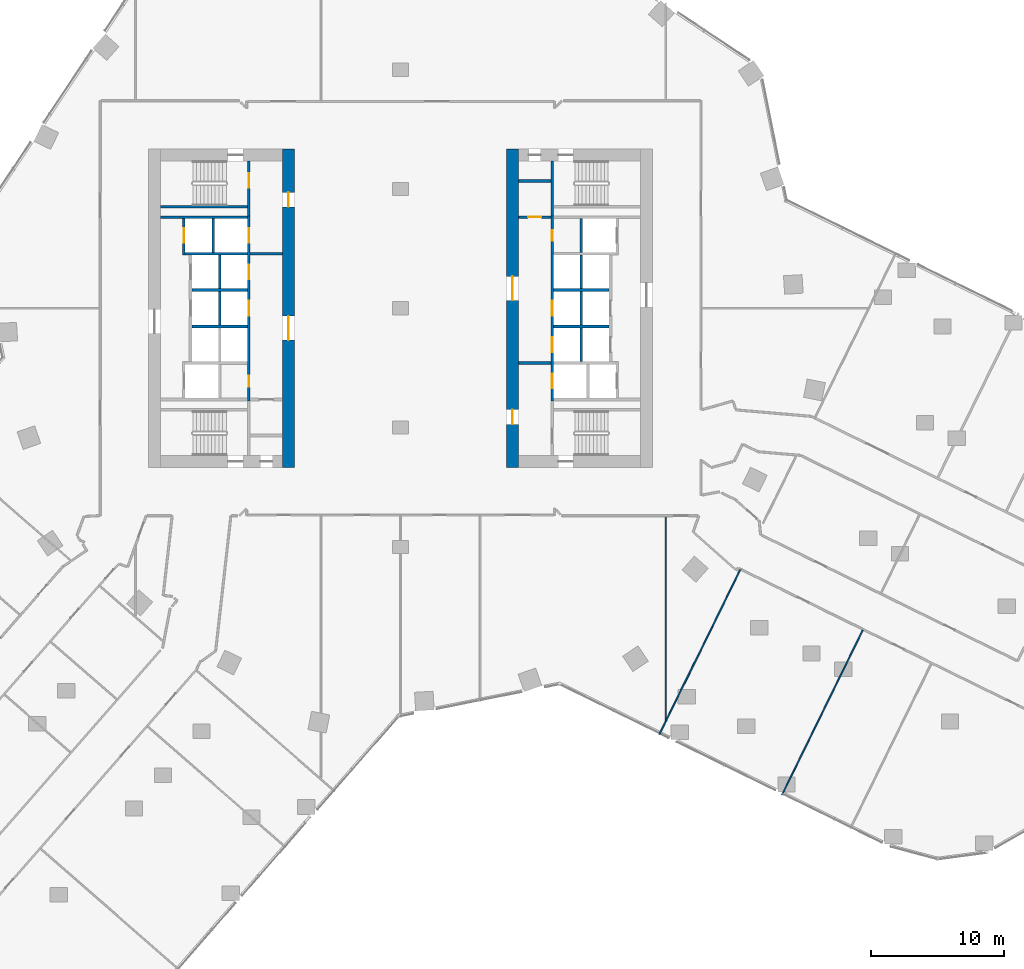
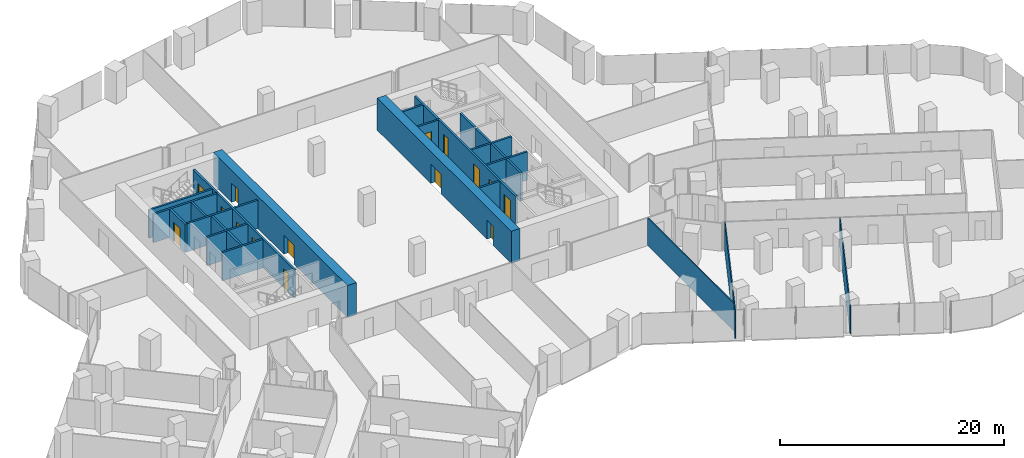
# One storey, part 28 of 38: 29 walls, 15 doors, 15 openings.
"""IFC4 building model written with IfcOpenShell, lengths in metres."""

import ifcopenshell
import ifcopenshell.guid

model = None  # the IFC model being written
_history = None  # IfcOwnerHistory: only IFC2X3 demands one
_inside = {}  # id of a spatial element -> (the spatial element, [elements in it])
_under = {}  # id of a project, library or spatial element -> (it, [spatial elements below it])
_declared = {}  # id of a project -> (the project, [libraries it declares])
_typed = {}  # id of a type object -> (the type object, [elements of that type])
_made_of = {}  # id of a material, layer set ... -> (it, [elements and type objects made of it])


def new_model(schema):
    """Start an empty IFC model of exactly this schema.

    Asked for "IFC4X3", IfcOpenShell would pick the latest addendum, in which some entities
    have other attributes; the version numbers below select the first issue.
    IFC2X3 requires an IfcOwnerHistory on every rooted entity: one is made here for all.
    """
    global model, _history
    if schema == "IFC4X3":
        model = ifcopenshell.file(schema_version=(4, 3, 0, 0))
    else:
        model = ifcopenshell.file(schema=schema)
    _inside.clear()
    _under.clear()
    _declared.clear()
    _typed.clear()
    _made_of.clear()
    _history = None
    if model.schema == "IFC2X3":
        org = make("IfcOrganization", Name="unknown")
        user = make(
            "IfcPersonAndOrganization",
            ThePerson=make("IfcPerson", FamilyName="unknown"),
            TheOrganization=org,
        )
        app = make(
            "IfcApplication",
            ApplicationDeveloper=org,
            Version="unknown",
            ApplicationFullName="unknown",
            ApplicationIdentifier="unknown",
        )
        _history = make(
            "IfcOwnerHistory",
            OwningUser=user,
            OwningApplication=app,
            ChangeAction="ADDED",
            CreationDate=0,
        )
    return model


def make(cls, **values):
    """One entity of the class cls with the attributes given. An attribute that is None is left unset."""
    return model.create_entity(
        cls, **{name: value for name, value in values.items() if value is not None}
    )


def rooted(cls, **values):
    """An entity with a GlobalId (a new one), such as an element, a storey or a relation."""
    return make(cls, GlobalId=ifcopenshell.guid.new(), OwnerHistory=_history, **values)


def si_unit(unit_type, name, prefix=None):
    """IfcSIUnit, for example si_unit("LENGTHUNIT", "METRE", prefix="MILLI")."""
    return make("IfcSIUnit", UnitType=unit_type, Prefix=prefix, Name=name)


def assignment(units):
    """IfcUnitAssignment: the units of a project."""
    return None if units is None else make("IfcUnitAssignment", Units=units)


def point(xyz):
    """IfcCartesianPoint."""
    return None if xyz is None else make("IfcCartesianPoint", Coordinates=xyz)


def direction(xyz):
    """IfcDirection."""
    return None if xyz is None else make("IfcDirection", DirectionRatios=xyz)


def frame(location, z_axis=None, x_axis=None):
    """IfcAxis2Placement3D, a coordinate frame: its origin and axes. An axis left out is left unset."""
    return make(
        "IfcAxis2Placement3D",
        Location=point(location),
        Axis=direction(z_axis),
        RefDirection=direction(x_axis),
    )


def frame_2d(location, x_axis=None):
    """IfcAxis2Placement2D, a coordinate frame in the plane: its origin and x axis."""
    return make(
        "IfcAxis2Placement2D", Location=point(location), RefDirection=direction(x_axis)
    )


def origin():
    """The frame at (0, 0, 0) with its axes left unset."""
    return frame((0.0, 0.0, 0.0))


def place(relative_to, where):
    """IfcLocalPlacement: puts the frame where relative to a parent placement (None: the world)."""
    return make(
        "IfcLocalPlacement", PlacementRelTo=relative_to, RelativePlacement=where
    )


def context(
    kind, dimensions, precision=None, world=None, true_north=None, identifier=None
):
    """IfcGeometricRepresentationContext, for example the 3D "Model" context."""
    return make(
        "IfcGeometricRepresentationContext",
        ContextIdentifier=identifier,
        ContextType=kind,
        CoordinateSpaceDimension=dimensions,
        Precision=precision,
        WorldCoordinateSystem=world,
        TrueNorth=true_north,
    )


def subcontext(parent, identifier, kind, view, scale=None):
    """IfcGeometricRepresentationSubContext, for example "Body" below "Model"."""
    return make(
        "IfcGeometricRepresentationSubContext",
        ContextIdentifier=identifier,
        ContextType=kind,
        ParentContext=parent,
        TargetScale=scale,
        TargetView=view,
    )


def project(units=None, contexts=None):
    """IfcProject with its units and contexts."""
    return rooted(
        "IfcProject",
        Name="project",
        RepresentationContexts=contexts,
        UnitsInContext=assignment(units),
    )


def spatial(cls, under=None, at=None, **own):
    """A site, building, storey or space (cls), placed at a placement, below another one or the project."""
    s = rooted(cls, ObjectPlacement=at, **own)
    if under is not None:
        _under.setdefault(under.id(), (under, []))[1].append(s)
    return s


def profile(cls, at=None, kind="AREA", **sizes):
    """A parametric profile (cls). Its sizes go by their IFC names, for example OverallWidth=200.0."""
    return make(cls, ProfileType=kind, Position=at, **sizes)


def rectangle(**sizes):
    """IfcRectangleProfileDef."""
    return profile("IfcRectangleProfileDef", **sizes)


def extrude(swept, where, along, depth):
    """IfcExtrudedAreaSolid: the profile swept, set in the frame where, extruded along a direction by depth."""
    return make(
        "IfcExtrudedAreaSolid",
        SweptArea=swept,
        Position=where,
        ExtrudedDirection=direction(along),
        Depth=depth,
    )


def shape(context_of_items, identifier, shape_type, items):
    """IfcShapeRepresentation: the items that make up one representation, for example the "Body"."""
    return make(
        "IfcShapeRepresentation",
        ContextOfItems=context_of_items,
        RepresentationIdentifier=identifier,
        RepresentationType=shape_type,
        Items=items,
    )


def material(Name=None, Category=None):
    """IfcMaterial."""
    return make("IfcMaterial", Name=Name, Category=Category)


def layer(
    of_material, thickness, ventilated=None, Name=None, Category=None, Priority=None
):
    """IfcMaterialLayer: one layer of a wall or slab, of a material (None: an air gap)."""
    return make(
        "IfcMaterialLayer",
        Material=of_material,
        LayerThickness=thickness,
        IsVentilated=ventilated,
        Name=Name,
        Category=Category,
        Priority=Priority,
    )


def layer_set(layers, Name=None):
    """IfcMaterialLayerSet."""
    return make("IfcMaterialLayerSet", MaterialLayers=layers, LayerSetName=Name)


def made_of(thing, what):
    """Note that an element or type object is made of a material, layer set ...; save() writes the relation."""
    if what is not None:
        _made_of.setdefault(what.id(), (what, []))[1].append(thing)
    return thing


def type_object(cls, material=None, **own):
    """A type object (cls), such as IfcWallType, which elements share."""
    return made_of(rooted(cls, **own), material)


def element(
    cls,
    number,
    at=None,
    inside=None,
    cuts=None,
    type_object=None,
    material=None,
    context=None,
    identifier="Body",
    shape_type=None,
    held_by="IfcProductDefinitionShape",
    body=None,
    shapes=None,
    **own,
):
    """One element of the class cls, such as IfcWall. Its Tag is "e" and its number.

    at: its placement. inside: the storey or other place that contains it. cuts: it is an
    opening in that element (IfcRelVoidsElement). A single representation is given by context,
    identifier, shape_type and body (its items); several are given by shapes. held_by: the class
    of the entity that holds the representations. save() writes the other relations.
    """
    e = rooted(cls, Tag="e%d" % number, ObjectPlacement=at, **own)
    if body is not None:
        shapes = [shape(context, identifier, shape_type, body)]
    if shapes is not None:
        e.Representation = make(held_by, Representations=shapes)
    if inside is not None:
        _inside.setdefault(inside.id(), (inside, []))[1].append(e)
    if cuts is not None:
        rooted(
            "IfcRelVoidsElement", RelatingBuildingElement=cuts, RelatedOpeningElement=e
        )
    if type_object is not None:
        _typed.setdefault(type_object.id(), (type_object, []))[1].append(e)
    return made_of(e, material)


def fill(opening, filler):
    """IfcRelFillsElement: the door or window that sits in an opening."""
    return rooted(
        "IfcRelFillsElement",
        RelatingOpeningElement=opening,
        RelatedBuildingElement=filler,
    )


def aggregate(whole, parts):
    """IfcRelAggregates: a whole, such as a stair, and the parts it consists of."""
    return rooted("IfcRelAggregates", RelatingObject=whole, RelatedObjects=parts)


def save(model, path):
    """Write the relations noted so far, then the file.

    IfcRelAggregates (storeys below a building ...), IfcRelContainedInSpatialStructure (elements
    in a storey), IfcRelDefinesByType, IfcRelAssociatesMaterial and IfcRelDeclares: one each for
    every whole, place, type object, material and project.
    """
    for whole, parts in _under.values():
        aggregate(whole, parts)
    for where, things in _inside.values():
        rooted(
            "IfcRelContainedInSpatialStructure",
            RelatedElements=things,
            RelatingStructure=where,
        )
    for kind, things in _typed.values():
        rooted("IfcRelDefinesByType", RelatedObjects=things, RelatingType=kind)
    for what, things in _made_of.values():
        rooted("IfcRelAssociatesMaterial", RelatedObjects=things, RelatingMaterial=what)
    for by, libraries in _declared.values():
        rooted("IfcRelDeclares", RelatingContext=by, RelatedDefinitions=libraries)
    model.write(path)


model = new_model("IFC4")

# Units and contexts
model_context = context("Model", 3, precision=1e-05, world=origin(), true_north=direction((0.0, 1.0)))
body_context = subcontext(model_context, "Body", "Model", "MODEL_VIEW")
ifc_project = project(units=[si_unit("LENGTHUNIT", "METRE"), si_unit("AREAUNIT", "SQUARE_METRE"), si_unit("VOLUMEUNIT", "CUBIC_METRE"), si_unit("PLANEANGLEUNIT", "RADIAN"), si_unit("MASSUNIT", "GRAM", prefix="KILO")], contexts=[model_context])

# Site, building, storey
site_placement = place(None, origin())
site = spatial("IfcSite", under=ifc_project, at=site_placement, CompositionType="ELEMENT")
building_placement = place(site_placement, origin())
building = spatial("IfcBuilding", under=site, at=building_placement, Name="Orlundy Tower", CompositionType="ELEMENT")
storey_placement = place(building_placement, frame((0.0, 0.0, 69.300048828125)))
storey = spatial("IfcBuildingStorey", under=building, at=storey_placement, Name="L16", CompositionType="ELEMENT", Elevation=69.300048828125)

# Wall, openings, doors
ifc_material_1 = material(Name="Concrete C80/95", Category="concrete")
ifc_layer_1 = layer(ifc_material_1, 0.89990234375)
ifc_layer_set_1 = layer_set([ifc_layer_1], Name="CORE WALL 900 C80/95")
wall_type_1 = type_object("IfcWallType", Name="CORE WALL 900 C80/95", PredefinedType="SHEAR", material=ifc_layer_set_1)
wall_1_placement = place(storey_placement, frame((-8.449951171875, -12.0, 0.0), z_axis=(0.0, 0.0, 1.0), x_axis=(0.0, 1.0, 0.0)))
wall_1 = element("IfcWall", 1, at=wall_1_placement, inside=storey, type_object=wall_type_1, Name="Core wall W-E L16", PredefinedType="SHEAR", context=body_context, shape_type="SweptSolid", body=[
    extrude(rectangle(XDim=24.0, YDim=0.89990234375, at=frame_2d((12.0, 0.0))), origin(), (0.0, 0.0, 1.0), 3.5),
])
opening_1_placement = place(wall_1_placement, frame((9.60009765625, 0.0, 0.0)))
opening_1 = element("IfcOpeningElement", 2, at=opening_1_placement, cuts=wall_1, Name="Opening 14009", PredefinedType="OPENING", context=body_context, shape_type="SweptSolid", body=[
    extrude(rectangle(XDim=1.800048828125, YDim=2.10009765625, at=frame_2d((0.89990234375, 1.050048828125))), frame((0.0, 0.4599609375, 0.0), z_axis=(0.0, -1.0, 0.0), x_axis=(1.0, 0.0, 0.0)), (0.0, 0.0, 1.0), 0.919921875),
])
opening_2_placement = place(wall_1_placement, frame((19.64990234375, 0.0, 0.0)))
opening_2 = element("IfcOpeningElement", 3, at=opening_2_placement, cuts=wall_1, Name="Opening 14011", PredefinedType="OPENING", context=body_context, shape_type="SweptSolid", body=[
    extrude(rectangle(XDim=1.10009765625, YDim=2.10009765625, at=frame_2d((0.550048828125, 1.050048828125))), frame((0.0, 0.4599609375, 0.0), z_axis=(0.0, -1.0, 0.0), x_axis=(1.0, 0.0, 0.0)), (0.0, 0.0, 1.0), 0.919921875),
])
ifc_material_2 = material(Name="Steel door set", Category="steel")
door_type_1 = type_object("IfcDoorType", Name="Fire-fighting Lobby Door 1100x2100", OperationType="SINGLE_SWING_LEFT", PredefinedType="DOOR", material=ifc_material_2)
door_1_placement = place(opening_2_placement, origin())
door_1 = element("IfcDoor", 4, at=door_1_placement, inside=storey, type_object=door_type_1, Name="Fire-fighting lobby door 14011", OperationType="SINGLE_SWING_RIGHT", OverallHeight=2.10009765625, OverallWidth=1.10009765625, PredefinedType="DOOR", context=body_context, shape_type="SweptSolid", body=[
    extrude(rectangle(XDim=1.10009765625, YDim=2.10009765625, at=frame_2d((0.550048828125, 1.050048828125))), frame((0.0, 0.02490234375, 0.0), z_axis=(0.0, -1.0, 0.0), x_axis=(1.0, 0.0, 0.0)), (0.0, 0.0, 1.0), 0.050048828125),
])
fill(opening_2, door_1)
ifc_material_3 = material(Name="Timber door set", Category="wood")
door_type_2 = type_object("IfcDoorType", Name="Lobby Door 1800x2100", OperationType="DOUBLE_DOOR_DOUBLE_SWING", PredefinedType="DOOR", material=ifc_material_3)
door_2_placement = place(opening_1_placement, origin())
door_2 = element("IfcDoor", 5, at=door_2_placement, inside=storey, type_object=door_type_2, Name="Lift lobby door 14009", OperationType="SINGLE_SWING_LEFT", OverallHeight=2.10009765625, OverallWidth=1.800048828125, PredefinedType="DOOR", context=body_context, shape_type="SweptSolid", body=[
    extrude(rectangle(XDim=1.800048828125, YDim=2.10009765625, at=frame_2d((0.89990234375, 1.050048828125))), frame((0.0, 0.02490234375, 0.0), z_axis=(0.0, -1.0, 0.0), x_axis=(1.0, 0.0, 0.0)), (0.0, 0.0, 1.0), 0.050048828125),
])
fill(opening_1, door_2)

wall_2_placement = place(storey_placement, frame((8.449951171875, -12.0, 0.0), z_axis=(0.0, 0.0, 1.0), x_axis=(0.0, 1.0, 0.0)))
wall_2 = element("IfcWall", 6, at=wall_2_placement, inside=storey, type_object=wall_type_1, Name="Core wall E-W L16", PredefinedType="SHEAR", context=body_context, shape_type="SweptSolid", body=[
    extrude(rectangle(XDim=24.0, YDim=0.89990234375, at=frame_2d((12.0, 0.0))), origin(), (0.0, 0.0, 1.0), 3.5),
])
opening_3_placement = place(wall_2_placement, frame((12.60009765625, 0.0, 0.0)))
opening_3 = element("IfcOpeningElement", 7, at=opening_3_placement, cuts=wall_2, Name="Opening 14058", PredefinedType="OPENING", context=body_context, shape_type="SweptSolid", body=[
    extrude(rectangle(XDim=1.800048828125, YDim=2.10009765625, at=frame_2d((0.89990234375, 1.050048828125))), frame((0.0, 0.4599609375, 0.0), z_axis=(0.0, -1.0, 0.0), x_axis=(1.0, 0.0, 0.0)), (0.0, 0.0, 1.0), 0.919921875),
])
opening_4_placement = place(wall_2_placement, frame((3.25, 0.0, 0.0)))
opening_4 = element("IfcOpeningElement", 8, at=opening_4_placement, cuts=wall_2, Name="Opening 14060", PredefinedType="OPENING", context=body_context, shape_type="SweptSolid", body=[
    extrude(rectangle(XDim=1.10009765625, YDim=2.10009765625, at=frame_2d((0.550048828125, 1.050048828125))), frame((0.0, 0.4599609375, 0.0), z_axis=(0.0, -1.0, 0.0), x_axis=(1.0, 0.0, 0.0)), (0.0, 0.0, 1.0), 0.919921875),
])
door_3_placement = place(opening_4_placement, origin())
door_3 = element("IfcDoor", 9, at=door_3_placement, inside=storey, type_object=door_type_1, Name="Fire-fighting lobby door 14060", OperationType="SINGLE_SWING_LEFT", OverallHeight=2.10009765625, OverallWidth=1.10009765625, PredefinedType="DOOR", context=body_context, shape_type="SweptSolid", body=[
    extrude(rectangle(XDim=1.10009765625, YDim=2.10009765625, at=frame_2d((0.550048828125, 1.050048828125))), frame((0.0, 0.02490234375, 0.0), z_axis=(0.0, -1.0, 0.0), x_axis=(1.0, 0.0, 0.0)), (0.0, 0.0, 1.0), 0.050048828125),
])
fill(opening_4, door_3)
door_4_placement = place(opening_3_placement, origin())
door_4 = element("IfcDoor", 10, at=door_4_placement, inside=storey, type_object=door_type_2, Name="Lift lobby door 14058", OperationType="SINGLE_SWING_RIGHT", OverallHeight=2.10009765625, OverallWidth=1.800048828125, PredefinedType="DOOR", context=body_context, shape_type="SweptSolid", body=[
    extrude(rectangle(XDim=1.800048828125, YDim=2.10009765625, at=frame_2d((0.89990234375, 1.050048828125))), frame((0.0, 0.02490234375, 0.0), z_axis=(0.0, -1.0, 0.0), x_axis=(1.0, 0.0, 0.0)), (0.0, 0.0, 1.0), 0.050048828125),
])
fill(opening_3, door_4)

# Walls
ifc_material_4 = material(Name="Gypsum board partition")
ifc_layer_2 = layer(ifc_material_4, 0.10009765625)
ifc_layer_set_2 = layer_set([ifc_layer_2], Name="Floor partition 100")
wall_type_2 = type_object("IfcWallType", Name="Floor partition 100", PredefinedType="PARTITIONING", material=ifc_layer_set_2)
wall_3_placement = place(storey_placement, frame((28.76611328125, -36.695068359375, 0.0), z_axis=(0.0, 0.0, 1.0), x_axis=(0.440949019424, 0.897532151106, 0.0)))
element("IfcWall", 11, at=wall_3_placement, inside=storey, type_object=wall_type_2, Name="wall-int-L16-074", PredefinedType="PARTITIONING", context=body_context, shape_type="SweptSolid", body=[
    extrude(rectangle(XDim=13.835693359375, YDim=0.10009765625, at=frame_2d((6.91796875, 0.0))), origin(), (0.0, 0.0, 1.0), 3.030029296875),
])
wall_4_placement = place(storey_placement, frame((20.014892578125, -31.133056640625, 0.0), z_axis=(0.0, 0.0, 1.0), x_axis=(0.440975509771, 0.897519136165, 0.0)))
element("IfcWall", 12, at=wall_4_placement, inside=storey, type_object=wall_type_2, Name="wall-int-L16-077", PredefinedType="PARTITIONING", context=body_context, shape_type="SweptSolid", body=[
    extrude(rectangle(XDim=12.76513671875, YDim=0.10009765625, at=frame_2d((6.382568359375, 0.0))), origin(), (0.0, 0.0, 1.0), 3.030029296875),
])
wall_5_placement = place(storey_placement, frame((19.51611328125, -32.15087890625, 0.0), z_axis=(0.0, 0.0, 1.0), x_axis=(0.44043528265, 0.897784362638, 0.0)))
element("IfcWall", 13, at=wall_5_placement, inside=storey, type_object=wall_type_2, Name="wall-int-L16-080", PredefinedType="PARTITIONING", context=body_context, shape_type="SweptSolid", body=[
    extrude(rectangle(XDim=1.08251953125, YDim=0.10009765625, at=frame_2d((0.541259765625, 0.0))), origin(), (0.0, 0.0, 1.0), 3.030029296875),
])
wall_6_placement = place(storey_placement, frame((20.0, -31.1650390625, 0.0), z_axis=(0.0, 0.0, 1.0), x_axis=(0.0, 1.0, 0.0)))
element("IfcWall", 14, at=wall_6_placement, inside=storey, type_object=wall_type_2, Name="wall-int-L16-093", PredefinedType="PARTITIONING", context=body_context, shape_type="SweptSolid", body=[
    extrude(rectangle(XDim=15.4521484375, YDim=0.10009765625, at=frame_2d((7.72607421875, 0.0))), origin(), (0.0, 0.0, 1.0), 3.030029296875),
])

# Wall, opening, door
ifc_material_5 = material(Name="Concrete C40/50", Category="concrete")
ifc_layer_3 = layer(ifc_material_5, 0.199951171875)
ifc_layer_set_3 = layer_set([ifc_layer_3], Name="Load-bearing Shaft Wall 200")
wall_type_3 = type_object("IfcWallType", Name="Load-bearing Shaft Wall 200", PredefinedType="SOLIDWALL", material=ifc_layer_set_3)
wall_7_placement = place(storey_placement, frame((-11.43994140625, 6.97509765625, 0.0), z_axis=(0.0, 0.0, 1.0), x_axis=(0.0, 1.0, 0.0)))
wall_7 = element("IfcWall", 15, at=wall_7_placement, inside=storey, type_object=wall_type_3, Name="Shaft wall W14-stair-end-n", PredefinedType="SOLIDWALL", context=body_context, shape_type="SweptSolid", body=[
    extrude(rectangle(XDim=4.125, YDim=0.199951171875, at=frame_2d((2.0625, 0.0))), origin(), (0.0, 0.0, 1.0), 3.08984375),
])
opening_5_placement = place(wall_7_placement, frame((2.10009765625, 0.0, 0.0)))
opening_5 = element("IfcOpeningElement", 16, at=opening_5_placement, cuts=wall_7, Name="Opening 14014", PredefinedType="OPENING", context=body_context, shape_type="SweptSolid", body=[
    extrude(rectangle(XDim=1.10009765625, YDim=2.10009765625, at=frame_2d((0.550048828125, 1.050048828125))), frame((0.0, 0.110107421875, 0.0), z_axis=(0.0, -1.0, 0.0), x_axis=(1.0, 0.0, 0.0)), (0.0, 0.0, 1.0), 0.22021484375),
])
door_5_placement = place(opening_5_placement, origin())
door_5 = element("IfcDoor", 17, at=door_5_placement, inside=storey, type_object=door_type_1, Name="Fire-fighting lobby to stair door 14014", OperationType="SINGLE_SWING_RIGHT", OverallHeight=2.10009765625, OverallWidth=1.10009765625, PredefinedType="DOOR", context=body_context, shape_type="SweptSolid", body=[
    extrude(rectangle(XDim=1.10009765625, YDim=2.10009765625, at=frame_2d((0.550048828125, 1.050048828125))), frame((0.0, 0.02490234375, 0.0), z_axis=(0.0, -1.0, 0.0), x_axis=(1.0, 0.0, 0.0)), (0.0, 0.0, 1.0), 0.050048828125),
])
fill(opening_5, door_5)

# Walls
wall_8_placement = place(storey_placement, frame((-11.5400390625, 7.64990234375, 0.0), z_axis=(0.0, 0.0, 1.0), x_axis=(-1.0, 0.0, 0.0)))
element("IfcWall", 18, at=wall_8_placement, inside=storey, type_object=wall_type_3, Name="Shaft wall W14-stair-side-n", PredefinedType="SOLIDWALL", context=body_context, shape_type="SweptSolid", body=[
    extrude(rectangle(XDim=6.56005859375, YDim=0.199951171875, at=frame_2d((3.280029296875, 0.0))), origin(), (0.0, 0.0, 1.0), 3.08984375),
])
wall_9_placement = place(storey_placement, frame((11.43994140625, 11.10009765625, 0.0), z_axis=(0.0, 0.0, 1.0), x_axis=(0.0, -1.0, 0.0)))
element("IfcWall", 19, at=wall_9_placement, inside=storey, type_object=wall_type_3, Name="Shaft wall E14-stair-end-s", PredefinedType="SOLIDWALL", context=body_context, shape_type="SweptSolid", body=[
    extrude(rectangle(XDim=4.125, YDim=0.199951171875, at=frame_2d((2.0625, 0.0))), origin(), (0.0, 0.0, 1.0), 3.08984375),
])
ifc_material_6 = material(Name="Gypsum board partition on steel studs", Category="steel")
ifc_layer_4 = layer(ifc_material_6, 0.199951171875)
ifc_layer_set_4 = layer_set([ifc_layer_4], Name="Partition 200")
wall_type_4 = type_object("IfcWallType", Name="Partition 200", PredefinedType="PARTITIONING", material=ifc_layer_set_4)
for number, where, z_axis, x_axis, name in (
    (20, (-8.89990234375, 4.125, 0.0), (0.0, 0.0, 1.0), (-1.0, 0.0, 0.0), "Partition wall W14-lobby-n"),
    (21, (8.89990234375, -4.125, 0.0), (0.0, 0.0, 1.0), (1.0, 0.0, 0.0), "Partition wall E14-lobby-n"),
):
    element("IfcWall", number, at=place(storey_placement, frame(where, z_axis=z_axis, x_axis=x_axis)), inside=storey, type_object=wall_type_4, Name=name, PredefinedType="PARTITIONING", context=body_context, shape_type="SweptSolid", body=[
        extrude(rectangle(XDim=2.440185546875, YDim=0.199951171875, at=frame_2d((1.22021484375, 0.0))), origin(), (0.0, 0.0, 1.0), 3.08984375),
    ])

# Wall, opening, door
wall_10_placement = place(storey_placement, frame((8.89990234375, 6.875, 0.0), z_axis=(0.0, 0.0, 1.0), x_axis=(1.0, 0.0, 0.0)))
wall_10 = element("IfcWall", 22, at=wall_10_placement, inside=storey, type_object=wall_type_4, Name="Partition wall E14-end-s", PredefinedType="PARTITIONING", context=body_context, shape_type="SweptSolid", body=[
    extrude(rectangle(XDim=2.440185546875, YDim=0.199951171875, at=frame_2d((1.22021484375, 0.0))), origin(), (0.0, 0.0, 1.0), 3.08984375),
])
opening_6_placement = place(wall_10_placement, frame((0.719970703125, 0.0, 0.0)))
opening_6 = element("IfcOpeningElement", 23, at=opening_6_placement, cuts=wall_10, Name="Opening 14065", PredefinedType="OPENING", context=body_context, shape_type="SweptSolid", body=[
    extrude(rectangle(XDim=1.0, YDim=2.10009765625, at=frame_2d((0.5, 1.050048828125))), frame((0.0, 0.110107421875, 0.0), z_axis=(0.0, -1.0, 0.0), x_axis=(1.0, 0.0, 0.0)), (0.0, 0.0, 1.0), 0.22021484375),
])
ifc_material_7 = material(Name="Timber door set", Category="wood")
door_type_3 = type_object("IfcDoorType", Name="Accessible Door 1000x2100", OperationType="SINGLE_SWING_LEFT", PredefinedType="DOOR", material=ifc_material_7)
door_6_placement = place(opening_6_placement, origin())
door_6 = element("IfcDoor", 24, at=door_6_placement, inside=storey, type_object=door_type_3, Name="Accessible WC door 14065", OperationType="SINGLE_SWING_RIGHT", OverallHeight=2.10009765625, OverallWidth=1.0, PredefinedType="DOOR", context=body_context, shape_type="SweptSolid", body=[
    extrude(rectangle(XDim=1.0, YDim=2.10009765625, at=frame_2d((0.5, 1.050048828125))), frame((0.0, 0.02490234375, 0.0), z_axis=(0.0, -1.0, 0.0), x_axis=(1.0, 0.0, 0.0)), (0.0, 0.0, 1.0), 0.050048828125),
])
fill(opening_6, door_6)

# Walls
wall_11_placement = place(storey_placement, frame((8.89990234375, 9.60009765625, 0.0), z_axis=(0.0, 0.0, 1.0), x_axis=(1.0, 0.0, 0.0)))
element("IfcWall", 25, at=wall_11_placement, inside=storey, type_object=wall_type_4, Name="Partition wall E14-room-s0", PredefinedType="PARTITIONING", context=body_context, shape_type="SweptSolid", body=[
    extrude(rectangle(XDim=2.440185546875, YDim=0.199951171875, at=frame_2d((1.22021484375, 0.0))), origin(), (0.0, 0.0, 1.0), 3.08984375),
])
ifc_material_8 = material(Name="Fire-rated blockwork shaft wall", Category="masonry")
ifc_layer_5 = layer(ifc_material_8, 0.199951171875)
ifc_layer_set_5 = layer_set([ifc_layer_5], Name="Shaft Wall 200")
wall_type_5 = type_object("IfcWallType", Name="Shaft Wall 200", PredefinedType="SOLIDWALL", material=ifc_layer_set_5)
wall_12_placement = place(storey_placement, frame((-11.5400390625, 6.875, 0.0), z_axis=(0.0, 0.0, 1.0), x_axis=(-1.0, 0.0, 0.0)))
element("IfcWall", 26, at=wall_12_placement, inside=storey, type_object=wall_type_5, Name="Shaft wall W14-zone-n", PredefinedType="SOLIDWALL", context=body_context, shape_type="SweptSolid", body=[
    extrude(rectangle(XDim=6.56005859375, YDim=0.199951171875, at=frame_2d((3.280029296875, 0.0))), origin(), (0.0, 0.0, 1.0), 3.08984375),
])
for number, where, z_axis, x_axis, name in (
    (27, (-11.5400390625, -1.375, 0.0), (0.0, 0.0, 1.0), (-1.0, 0.0, 0.0), "Shaft wall W14-cross-1.375"),
    (28, (-11.5400390625, 1.375, 0.0), (0.0, 0.0, 1.0), (-1.0, 0.0, 0.0), "Shaft wall W14-cross+1.375"),
):
    element("IfcWall", number, at=place(storey_placement, frame(where, z_axis=z_axis, x_axis=x_axis)), inside=storey, type_object=wall_type_5, Name=name, PredefinedType="SOLIDWALL", context=body_context, shape_type="SweptSolid", body=[
        extrude(rectangle(XDim=4.199951171875, YDim=0.199951171875, at=frame_2d((2.10009765625, 0.0))), origin(), (0.0, 0.0, 1.0), 3.08984375),
    ])
wall_13_placement = place(storey_placement, frame((-11.5400390625, 4.125, 0.0), z_axis=(0.0, 0.0, 1.0), x_axis=(-1.0, 0.0, 0.0)))
element("IfcWall", 29, at=wall_13_placement, inside=storey, type_object=wall_type_5, Name="Shaft wall W14-cross+4.125", PredefinedType="SOLIDWALL", context=body_context, shape_type="SweptSolid", body=[
    extrude(rectangle(XDim=4.699951171875, YDim=0.199951171875, at=frame_2d((2.35009765625, 0.0))), origin(), (0.0, 0.0, 1.0), 3.08984375),
])

# Wall, openings, doors
wall_14_placement = place(storey_placement, frame((-11.43994140625, -6.97509765625, 0.0), z_axis=(0.0, 0.0, 1.0), x_axis=(0.0, 1.0, 0.0)))
wall_14 = element("IfcWall", 30, at=wall_14_placement, inside=storey, type_object=wall_type_5, Name="Shaft wall W14-front-h", PredefinedType="SOLIDWALL", context=body_context, shape_type="SweptSolid", body=[
    extrude(rectangle(XDim=13.9501953125, YDim=0.199951171875, at=frame_2d((6.97509765625, 0.0))), origin(), (0.0, 0.0, 1.0), 3.08984375),
])
opening_7_placement = place(wall_14_placement, frame((6.425048828125, 0.0, 0.0)))
opening_7 = element("IfcOpeningElement", 31, at=opening_7_placement, cuts=wall_14, Name="Opening 14002", PredefinedType="OPENING", context=body_context, shape_type="SweptSolid", body=[
    extrude(rectangle(XDim=1.10009765625, YDim=2.10009765625, at=frame_2d((0.550048828125, 1.050048828125))), frame((0.0, 0.110107421875, 0.0), z_axis=(0.0, -1.0, 0.0), x_axis=(1.0, 0.0, 0.0)), (0.0, 0.0, 1.0), 0.22021484375),
])
opening_8_placement = place(wall_14_placement, frame((9.175048828125, 0.0, 0.0)))
opening_8 = element("IfcOpeningElement", 32, at=opening_8_placement, cuts=wall_14, Name="Opening 14004", PredefinedType="OPENING", context=body_context, shape_type="SweptSolid", body=[
    extrude(rectangle(XDim=1.10009765625, YDim=2.10009765625, at=frame_2d((0.550048828125, 1.050048828125))), frame((0.0, 0.110107421875, 0.0), z_axis=(0.0, -1.0, 0.0), x_axis=(1.0, 0.0, 0.0)), (0.0, 0.0, 1.0), 0.22021484375),
])
opening_9_placement = place(wall_14_placement, frame((11.925048828125, 0.0, 0.0)))
opening_9 = element("IfcOpeningElement", 33, at=opening_9_placement, cuts=wall_14, Name="Opening 14006", PredefinedType="OPENING", context=body_context, shape_type="SweptSolid", body=[
    extrude(rectangle(XDim=1.10009765625, YDim=2.10009765625, at=frame_2d((0.550048828125, 1.050048828125))), frame((0.0, 0.110107421875, 0.0), z_axis=(0.0, -1.0, 0.0), x_axis=(1.0, 0.0, 0.0)), (0.0, 0.0, 1.0), 0.22021484375),
])
opening_10_placement = place(wall_14_placement, frame((1.074951171875, 0.0, 0.0)))
opening_10 = element("IfcOpeningElement", 34, at=opening_10_placement, cuts=wall_14, Name="Opening 14008", PredefinedType="OPENING", context=body_context, shape_type="SweptSolid", body=[
    extrude(rectangle(XDim=0.800048828125, YDim=2.10009765625, at=frame_2d((0.39990234375, 1.050048828125))), frame((0.0, 0.110107421875, 0.0), z_axis=(0.0, -1.0, 0.0), x_axis=(1.0, 0.0, 0.0)), (0.0, 0.0, 1.0), 0.22021484375),
])
ifc_material_9 = material(Name="Steel door set", Category="steel")
door_type_4 = type_object("IfcDoorType", Name="Landing Door 1100x2100", OperationType="DOUBLE_DOOR_SLIDING", PredefinedType="DOOR", material=ifc_material_9)
door_7_placement = place(opening_7_placement, origin())
door_7 = element("IfcDoor", 35, at=door_7_placement, inside=storey, type_object=door_type_4, Name="Lift landing door LP-05 14002", OperationType="DOUBLE_DOOR_SLIDING", OverallHeight=2.10009765625, OverallWidth=1.10009765625, PredefinedType="DOOR", context=body_context, shape_type="SweptSolid", body=[
    extrude(rectangle(XDim=1.10009765625, YDim=2.10009765625, at=frame_2d((0.550048828125, 1.050048828125))), frame((0.0, 0.02490234375, 0.0), z_axis=(0.0, -1.0, 0.0), x_axis=(1.0, 0.0, 0.0)), (0.0, 0.0, 1.0), 0.050048828125),
])
fill(opening_7, door_7)
door_8_placement = place(opening_8_placement, origin())
door_8 = element("IfcDoor", 36, at=door_8_placement, inside=storey, type_object=door_type_4, Name="Lift landing door LP-02 14004", OperationType="DOUBLE_DOOR_SLIDING", OverallHeight=2.10009765625, OverallWidth=1.10009765625, PredefinedType="DOOR", context=body_context, shape_type="SweptSolid", body=[
    extrude(rectangle(XDim=1.10009765625, YDim=2.10009765625, at=frame_2d((0.550048828125, 1.050048828125))), frame((0.0, 0.02490234375, 0.0), z_axis=(0.0, -1.0, 0.0), x_axis=(1.0, 0.0, 0.0)), (0.0, 0.0, 1.0), 0.050048828125),
])
fill(opening_8, door_8)
door_9_placement = place(opening_9_placement, origin())
door_9 = element("IfcDoor", 37, at=door_9_placement, inside=storey, type_object=door_type_4, Name="Lift landing door FL1 14006", OperationType="DOUBLE_DOOR_SLIDING", OverallHeight=2.10009765625, OverallWidth=1.10009765625, PredefinedType="DOOR", context=body_context, shape_type="SweptSolid", body=[
    extrude(rectangle(XDim=1.10009765625, YDim=2.10009765625, at=frame_2d((0.550048828125, 1.050048828125))), frame((0.0, 0.02490234375, 0.0), z_axis=(0.0, -1.0, 0.0), x_axis=(1.0, 0.0, 0.0)), (0.0, 0.0, 1.0), 0.050048828125),
])
fill(opening_9, door_9)
ifc_material_10 = material(Name="Timber door set", Category="wood")
door_type_5 = type_object("IfcDoorType", Name="Riser Door 800x2100", OperationType="SINGLE_SWING_LEFT", PredefinedType="DOOR", material=ifc_material_10)
door_10_placement = place(opening_10_placement, origin())
door_10 = element("IfcDoor", 38, at=door_10_placement, inside=storey, type_object=door_type_5, Name="Telecom Room door 14008", OperationType="SINGLE_SWING_LEFT", OverallHeight=2.10009765625, OverallWidth=0.800048828125, PredefinedType="DOOR", context=body_context, shape_type="SweptSolid", body=[
    extrude(rectangle(XDim=0.800048828125, YDim=2.10009765625, at=frame_2d((0.39990234375, 1.050048828125))), frame((0.0, 0.02490234375, 0.0), z_axis=(0.0, -1.0, 0.0), x_axis=(1.0, 0.0, 0.0)), (0.0, 0.0, 1.0), 0.050048828125),
])
fill(opening_10, door_10)

# Walls
for number, where, z_axis, x_axis, name in (
    (39, (-13.639892578125, -1.27490234375, 0.0), (0.0, 0.0, 1.0), (0.0, 1.0, 0.0), "Shaft wall W14-mid-a.2"),
    (40, (-13.639892578125, 1.47509765625, 0.0), (0.0, 0.0, 1.0), (0.0, 1.0, 0.0), "Shaft wall W14-mid-a.3"),
    (41, (-14.139892578125, 4.22509765625, 0.0), (0.0, 0.0, 1.0), (0.0, 1.0, 0.0), "Shaft wall W14-mid-b"),
):
    element("IfcWall", number, at=place(storey_placement, frame(where, z_axis=z_axis, x_axis=x_axis)), inside=storey, type_object=wall_type_5, Name=name, PredefinedType="SOLIDWALL", context=body_context, shape_type="SweptSolid", body=[
        extrude(rectangle(XDim=2.5498046875, YDim=0.199951171875, at=frame_2d((1.27490234375, 0.0))), origin(), (0.0, 0.0, 1.0), 3.08984375),
    ])

# Wall, opening, door
wall_15_placement = place(storey_placement, frame((-16.340087890625, 4.02490234375, 0.0), z_axis=(0.0, 0.0, 1.0), x_axis=(0.0, 1.0, 0.0)))
wall_15 = element("IfcWall", 42, at=wall_15_placement, inside=storey, type_object=wall_type_5, Name="Shaft wall W14-front-o-c", PredefinedType="SOLIDWALL", context=body_context, shape_type="SweptSolid", body=[
    extrude(rectangle(XDim=2.75, YDim=0.199951171875, at=frame_2d((1.375, 0.0))), origin(), (0.0, 0.0, 1.0), 3.08984375),
])
opening_11_placement = place(wall_15_placement, frame((0.925048828125, 0.0, 0.0)))
opening_11 = element("IfcOpeningElement", 43, at=opening_11_placement, cuts=wall_15, Name="Opening 14007", PredefinedType="OPENING", context=body_context, shape_type="SweptSolid", body=[
    extrude(rectangle(XDim=1.10009765625, YDim=2.10009765625, at=frame_2d((0.550048828125, 1.050048828125))), frame((0.0, 0.110107421875, 0.0), z_axis=(0.0, -1.0, 0.0), x_axis=(1.0, 0.0, 0.0)), (0.0, 0.0, 1.0), 0.22021484375),
])
door_11_placement = place(opening_11_placement, origin())
door_11 = element("IfcDoor", 44, at=door_11_placement, inside=storey, type_object=door_type_4, Name="Lift landing door LP-04 14007", OperationType="DOUBLE_DOOR_SLIDING", OverallHeight=2.10009765625, OverallWidth=1.10009765625, PredefinedType="DOOR", context=body_context, shape_type="SweptSolid", body=[
    extrude(rectangle(XDim=1.10009765625, YDim=2.10009765625, at=frame_2d((0.550048828125, 1.050048828125))), frame((0.0, 0.02490234375, 0.0), z_axis=(0.0, -1.0, 0.0), x_axis=(1.0, 0.0, 0.0)), (0.0, 0.0, 1.0), 0.050048828125),
])
fill(opening_11, door_11)

# Walls
for number, where, z_axis, x_axis, name in (
    (45, (11.5400390625, 1.375, 0.0), (0.0, 0.0, 1.0), (1.0, 0.0, 0.0), "Shaft wall E14-cross-1.375"),
    (46, (11.5400390625, -1.375, 0.0), (0.0, 0.0, 1.0), (1.0, 0.0, 0.0), "Shaft wall E14-cross+1.375"),
):
    element("IfcWall", number, at=place(storey_placement, frame(where, z_axis=z_axis, x_axis=x_axis)), inside=storey, type_object=wall_type_5, Name=name, PredefinedType="SOLIDWALL", context=body_context, shape_type="SweptSolid", body=[
        extrude(rectangle(XDim=4.199951171875, YDim=0.199951171875, at=frame_2d((2.10009765625, 0.0))), origin(), (0.0, 0.0, 1.0), 3.08984375),
    ])

# Wall, openings, doors
wall_16_placement = place(storey_placement, frame((11.43994140625, 6.97509765625, 0.0), z_axis=(0.0, 0.0, 1.0), x_axis=(0.0, -1.0, 0.0)))
wall_16 = element("IfcWall", 47, at=wall_16_placement, inside=storey, type_object=wall_type_5, Name="Shaft wall E14-front-h", PredefinedType="SOLIDWALL", context=body_context, shape_type="SweptSolid", body=[
    extrude(rectangle(XDim=13.9501953125, YDim=0.199951171875, at=frame_2d((6.97509765625, 0.0))), origin(), (0.0, 0.0, 1.0), 3.08984375),
])
opening_12_placement = place(wall_16_placement, frame((6.425048828125, 0.0, 0.0)))
opening_12 = element("IfcOpeningElement", 48, at=opening_12_placement, cuts=wall_16, Name="Opening 14051", PredefinedType="OPENING", context=body_context, shape_type="SweptSolid", body=[
    extrude(rectangle(XDim=1.10009765625, YDim=2.10009765625, at=frame_2d((0.550048828125, 1.050048828125))), frame((0.0, 0.110107421875, 0.0), z_axis=(0.0, -1.0, 0.0), x_axis=(1.0, 0.0, 0.0)), (0.0, 0.0, 1.0), 0.22021484375),
])
opening_13_placement = place(wall_16_placement, frame((9.175048828125, 0.0, 0.0)))
opening_13 = element("IfcOpeningElement", 49, at=opening_13_placement, cuts=wall_16, Name="Opening 14053", PredefinedType="OPENING", context=body_context, shape_type="SweptSolid", body=[
    extrude(rectangle(XDim=1.10009765625, YDim=2.10009765625, at=frame_2d((0.550048828125, 1.050048828125))), frame((0.0, 0.110107421875, 0.0), z_axis=(0.0, -1.0, 0.0), x_axis=(1.0, 0.0, 0.0)), (0.0, 0.0, 1.0), 0.22021484375),
])
opening_14_placement = place(wall_16_placement, frame((11.925048828125, 0.0, 0.0)))
opening_14 = element("IfcOpeningElement", 50, at=opening_14_placement, cuts=wall_16, Name="Opening 14055", PredefinedType="OPENING", context=body_context, shape_type="SweptSolid", body=[
    extrude(rectangle(XDim=1.10009765625, YDim=2.10009765625, at=frame_2d((0.550048828125, 1.050048828125))), frame((0.0, 0.110107421875, 0.0), z_axis=(0.0, -1.0, 0.0), x_axis=(1.0, 0.0, 0.0)), (0.0, 0.0, 1.0), 0.22021484375),
])
opening_15_placement = place(wall_16_placement, frame((1.074951171875, 0.0, 0.0)))
opening_15 = element("IfcOpeningElement", 51, at=opening_15_placement, cuts=wall_16, Name="Opening 14057", PredefinedType="OPENING", context=body_context, shape_type="SweptSolid", body=[
    extrude(rectangle(XDim=0.800048828125, YDim=2.10009765625, at=frame_2d((0.39990234375, 1.050048828125))), frame((0.0, 0.110107421875, 0.0), z_axis=(0.0, -1.0, 0.0), x_axis=(1.0, 0.0, 0.0)), (0.0, 0.0, 1.0), 0.22021484375),
])
door_12_placement = place(opening_12_placement, origin())
door_12 = element("IfcDoor", 52, at=door_12_placement, inside=storey, type_object=door_type_4, Name="Lift landing door LP-10 14051", OperationType="DOUBLE_DOOR_SLIDING", OverallHeight=2.10009765625, OverallWidth=1.10009765625, PredefinedType="DOOR", context=body_context, shape_type="SweptSolid", body=[
    extrude(rectangle(XDim=1.10009765625, YDim=2.10009765625, at=frame_2d((0.550048828125, 1.050048828125))), frame((0.0, 0.02490234375, 0.0), z_axis=(0.0, -1.0, 0.0), x_axis=(1.0, 0.0, 0.0)), (0.0, 0.0, 1.0), 0.050048828125),
])
fill(opening_12, door_12)
door_13_placement = place(opening_13_placement, origin())
door_13 = element("IfcDoor", 53, at=door_13_placement, inside=storey, type_object=door_type_4, Name="Lift landing door LP-07 14053", OperationType="DOUBLE_DOOR_SLIDING", OverallHeight=2.10009765625, OverallWidth=1.10009765625, PredefinedType="DOOR", context=body_context, shape_type="SweptSolid", body=[
    extrude(rectangle(XDim=1.10009765625, YDim=2.10009765625, at=frame_2d((0.550048828125, 1.050048828125))), frame((0.0, 0.02490234375, 0.0), z_axis=(0.0, -1.0, 0.0), x_axis=(1.0, 0.0, 0.0)), (0.0, 0.0, 1.0), 0.050048828125),
])
fill(opening_13, door_13)
door_14_placement = place(opening_14_placement, origin())
door_14 = element("IfcDoor", 54, at=door_14_placement, inside=storey, type_object=door_type_4, Name="Lift landing door FL2 14055", OperationType="DOUBLE_DOOR_SLIDING", OverallHeight=2.10009765625, OverallWidth=1.10009765625, PredefinedType="DOOR", context=body_context, shape_type="SweptSolid", body=[
    extrude(rectangle(XDim=1.10009765625, YDim=2.10009765625, at=frame_2d((0.550048828125, 1.050048828125))), frame((0.0, 0.02490234375, 0.0), z_axis=(0.0, -1.0, 0.0), x_axis=(1.0, 0.0, 0.0)), (0.0, 0.0, 1.0), 0.050048828125),
])
fill(opening_14, door_14)
door_15_placement = place(opening_15_placement, origin())
door_15 = element("IfcDoor", 55, at=door_15_placement, inside=storey, type_object=door_type_5, Name="Telecom Room door 14057", OperationType="SINGLE_SWING_LEFT", OverallHeight=2.10009765625, OverallWidth=0.800048828125, PredefinedType="DOOR", context=body_context, shape_type="SweptSolid", body=[
    extrude(rectangle(XDim=0.800048828125, YDim=2.10009765625, at=frame_2d((0.39990234375, 1.050048828125))), frame((0.0, 0.02490234375, 0.0), z_axis=(0.0, -1.0, 0.0), x_axis=(1.0, 0.0, 0.0)), (0.0, 0.0, 1.0), 0.050048828125),
])
fill(opening_15, door_15)

# Walls
for number, where, z_axis, x_axis, name in (
    (56, (13.639892578125, 6.77490234375, 0.0), (0.0, 0.0, 1.0), (0.0, -1.0, 0.0), "Shaft wall E14-mid-a"),
    (57, (13.639892578125, 4.02490234375, 0.0), (0.0, 0.0, 1.0), (0.0, -1.0, 0.0), "Shaft wall E14-mid-a.1"),
    (58, (13.639892578125, 1.27490234375, 0.0), (0.0, 0.0, 1.0), (0.0, -1.0, 0.0), "Shaft wall E14-mid-a.2"),
    (59, (13.639892578125, -1.47509765625, 0.0), (0.0, 0.0, 1.0), (0.0, -1.0, 0.0), "Shaft wall E14-mid-a.3"),
):
    element("IfcWall", number, at=place(storey_placement, frame(where, z_axis=z_axis, x_axis=x_axis)), inside=storey, type_object=wall_type_5, Name=name, PredefinedType="SOLIDWALL", context=body_context, shape_type="SweptSolid", body=[
        extrude(rectangle(XDim=2.5498046875, YDim=0.199951171875, at=frame_2d((1.27490234375, 0.0))), origin(), (0.0, 0.0, 1.0), 3.08984375),
    ])

save(model, "model.ifc")
